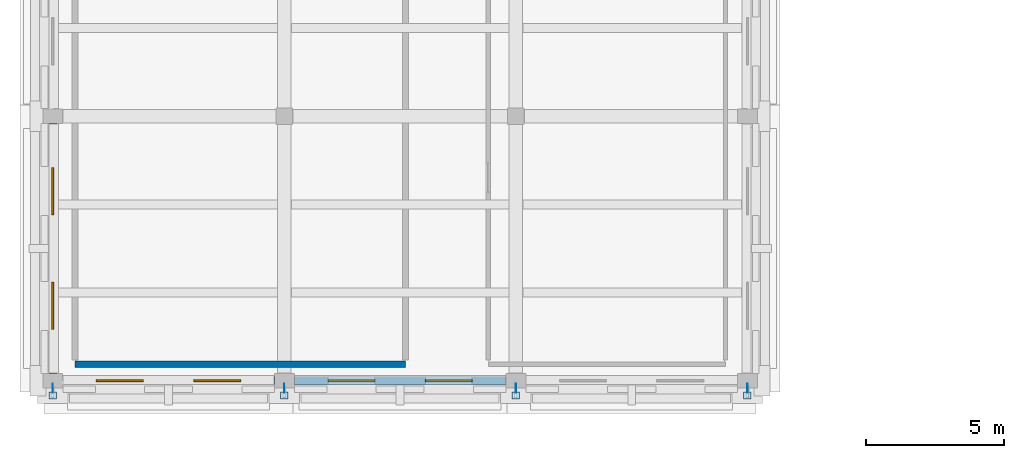
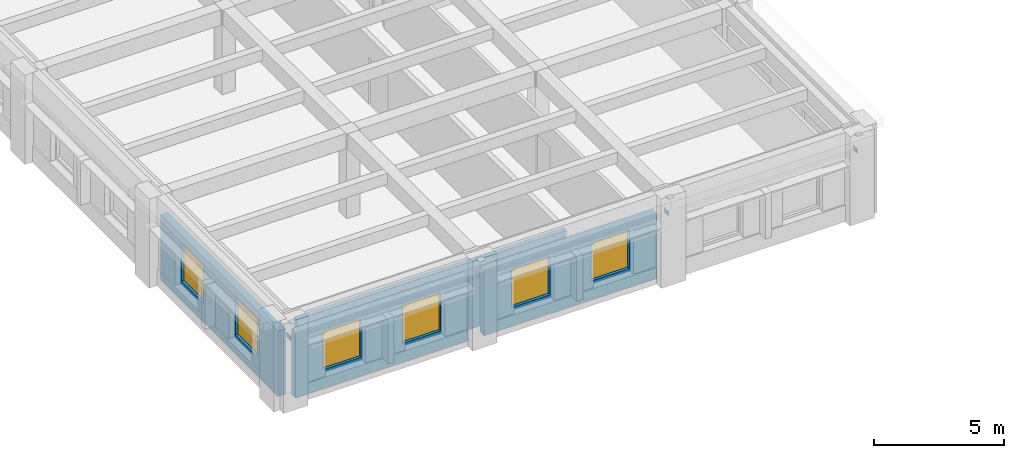
# One storey, part 6 of 17: 8 plates, 6 windows, 4 walls, 6 openings.
"""IFC4 building model written with IfcOpenShell, lengths in metres."""

from ifc_helpers import new_model, si_unit, direction, frame, frame_2d, origin, origin_2d, place, context, subcontext, project, spatial, rectangle, extrude, material, layer, layer_set, type_object, element, fill, save


model = new_model("IFC4")

# Units and contexts
model_context = context("Model", 3, precision=1e-05, world=origin(), true_north=direction((0.0, 1.0)))
body_context = subcontext(model_context, "Body", "Model", "MODEL_VIEW")
ifc_project = project(units=[si_unit("LENGTHUNIT", "METRE"), si_unit("AREAUNIT", "SQUARE_METRE"), si_unit("VOLUMEUNIT", "CUBIC_METRE"), si_unit("PLANEANGLEUNIT", "RADIAN"), si_unit("MASSUNIT", "GRAM", prefix="KILO")], contexts=[model_context])

# Site, building, storey
site_placement = place(None, origin())
site = spatial("IfcSite", under=ifc_project, at=site_placement, CompositionType="ELEMENT")
building_placement = place(site_placement, origin())
building = spatial("IfcBuilding", under=site, at=building_placement, Name="Bempovik Park Faculty of Sciences", CompositionType="ELEMENT")
storey_placement = place(building_placement, frame((0.0, 0.0, 22.5)))
storey = spatial("IfcBuildingStorey", under=building, at=storey_placement, Name="L05", CompositionType="ELEMENT", Elevation=22.5)

# Plates
ifc_material_1 = material(Name="Steel S355", Category="steel")
ifc_layer_1 = layer(ifc_material_1, 0.02001953125)
ifc_layer_set_1 = layer_set([ifc_layer_1], Name="Steel S355")
plate_type_1 = type_object("IfcPlateType", Name="PL-15 Steel Plate 280x260x20", PredefinedType="USERDEFINED", material=ifc_layer_set_1)
for number, where, z_axis, x_axis, name in (
    (1, (15.60009765625, 48.06494140625, 3.947998046875), (0.0, 0.0, 1.0), (1.0, 0.0, 0.0), "West Wing Eave Strut End Cap 1"),
    (2, (24.0, 48.06494140625, 3.947998046875), (0.0, 0.0, 1.0), (1.0, 0.0, 0.0), "West Wing Eave Strut End Cap 2"),
    (3, (32.39990234375, 48.06494140625, 3.947998046875), (0.0, 0.0, 1.0), (1.0, 0.0, 0.0), "West Wing Eave Strut End Cap 3"),
    (4, (40.800048828125, 48.06494140625, 3.947998046875), (0.0, 0.0, 1.0), (1.0, 0.0, 0.0), "West Wing Eave Strut End Cap 4"),
):
    element("IfcPlate", number, at=place(storey_placement, frame(where, z_axis=z_axis, x_axis=x_axis)), inside=storey, type_object=plate_type_1, Name=name, ObjectType="STIFFENER PLATE", PredefinedType="USERDEFINED", context=body_context, shape_type="SweptSolid", body=[
        extrude(rectangle(XDim=0.280029296875, YDim=0.260009765625, at=origin_2d()), origin(), (0.0, 0.0, 1.0), 0.02001953125),
    ])
ifc_layer_2 = layer(ifc_material_1, 0.011962890625)
ifc_layer_set_2 = layer_set([ifc_layer_2], Name="Steel S355")
plate_type_2 = type_object("IfcPlateType", Name="PL-26 Steel Plate 320x220x12", PredefinedType="SHEET", material=ifc_layer_set_2)
for number, where, z_axis, x_axis, name in (
    (5, (15.60009765625, 48.323974609375, 2.990234375), (0.0, 0.0, 1.0), (1.0, 0.0, 0.0), "Brace/Strut End Gusset Plate STR-EAVE-V4-1-E1"),
    (6, (24.0, 48.323974609375, 2.990234375), (0.0, 0.0, 1.0), (1.0, 0.0, 0.0), "Brace/Strut End Gusset Plate STR-EAVE-V4-2-E1"),
    (7, (32.39990234375, 48.323974609375, 2.990234375), (0.0, 0.0, 1.0), (1.0, 0.0, 0.0), "Brace/Strut End Gusset Plate STR-EAVE-V4-3-E1"),
    (8, (40.800048828125, 48.323974609375, 2.990234375), (0.0, 0.0, 1.0), (1.0, 0.0, 0.0), "Brace/Strut End Gusset Plate STR-EAVE-V4-4-E1"),
):
    element("IfcPlate", number, at=place(storey_placement, frame(where, z_axis=z_axis, x_axis=x_axis)), inside=storey, type_object=plate_type_2, Name=name, PredefinedType="SHEET", context=body_context, shape_type="SweptSolid", body=[
        extrude(rectangle(XDim=0.011962890625, YDim=0.320068359375, at=origin_2d()), origin(), (0.0, 0.0, 1.0), 0.219970703125),
    ])

# Wall
ifc_material_2 = material(Name="Concrete C35/45", Category="concrete")
ifc_layer_3 = layer(ifc_material_2, 0.219970703125)
ifc_layer_set_3 = layer_set([ifc_layer_3], Name="Concrete C35/45")
wall_type_1 = type_object("IfcWallType", Name="W-38 Wall 220mm", PredefinedType="PARTITIONING", material=ifc_layer_set_3)
wall_1_placement = place(storey_placement, frame((16.39990234375, 49.199951171875, 0.0), z_axis=(0.0, 0.0, 1.0), x_axis=(1.0, 0.0, 0.0)))
element("IfcWall", 9, at=wall_1_placement, inside=storey, type_object=wall_type_1, Name="L05 Tropical Plant Physiology Laboratory Partition South", PredefinedType="PARTITIONING", context=body_context, shape_type="SweptSolid", body=[
    extrude(rectangle(XDim=12.0, YDim=0.219970703125, at=frame_2d((6.0, 0.0))), origin(), (0.0, 0.0, 1.0), 3.14990234375),
])

# Wall, openings, windows
ifc_material_3 = material(Name="Precast concrete C40/50", Category="concrete")
ifc_layer_4 = layer(ifc_material_3, 0.320068359375)
ifc_layer_set_4 = layer_set([ifc_layer_4], Name="Precast concrete C40/50")
wall_type_2 = type_object("IfcWallType", Name="W-56 Wall 320mm", PredefinedType="SOLIDWALL", material=ifc_layer_set_4)
wall_2_placement = place(storey_placement, frame((15.60009765625, 48.8720703125, 0.0), z_axis=(0.0, 0.0, 1.0), x_axis=(0.0, 1.0, 0.0)))
wall_2 = element("IfcWall", 10, at=wall_2_placement, inside=storey, type_object=wall_type_2, Name="L05 Classical Precast Facade Wall EW-L05-9912", PredefinedType="SOLIDWALL", context=body_context, shape_type="SweptSolid", body=[
    extrude(rectangle(XDim=9.055908203125, YDim=0.320068359375, at=frame_2d((4.52783203125, 0.0))), origin(), (0.0, 0.0, 1.0), 3.080078125),
])
opening_1_placement = place(wall_2_placement, frame((1.59521484375, 0.0, 0.89990234375)))
opening_1 = element("IfcOpeningElement", 11, at=opening_1_placement, cuts=wall_2, Name="Opening WN-33", PredefinedType="OPENING", context=body_context, shape_type="SweptSolid", body=[
    extrude(rectangle(XDim=1.699951171875, YDim=1.800048828125, at=frame_2d((0.85009765625, 0.89990234375))), frame((0.0, 0.169921875, 0.0), z_axis=(0.0, -1.0, 0.0), x_axis=(1.0, 0.0, 0.0)), (0.0, 0.0, 1.0), 0.340087890625),
])
opening_2_placement = place(wall_2_placement, frame((5.760986328125, 0.0, 0.89990234375)))
opening_2 = element("IfcOpeningElement", 12, at=opening_2_placement, cuts=wall_2, Name="Opening WN-33", PredefinedType="OPENING", context=body_context, shape_type="SweptSolid", body=[
    extrude(rectangle(XDim=1.699951171875, YDim=1.800048828125, at=frame_2d((0.85009765625, 0.89990234375))), frame((0.0, 0.169921875, 0.0), z_axis=(0.0, -1.0, 0.0), x_axis=(1.0, 0.0, 0.0)), (0.0, 0.0, 1.0), 0.340087890625),
])
ifc_material_4 = material(Name="Tempered laminated low-E glass", Category="glass")
window_type = type_object("IfcWindowType", Name="WN-33 Window 1700x1800", PartitioningType="SINGLE_PANEL", PredefinedType="WINDOW", material=ifc_material_4)
window_1_placement = place(opening_1_placement, origin())
window_1 = element("IfcWindow", 13, at=window_1_placement, inside=storey, type_object=window_type, Name="L05 Window EW-L05-9912-1", OverallHeight=1.800048828125, OverallWidth=1.699951171875, PartitioningType="SINGLE_PANEL", PredefinedType="WINDOW", context=body_context, shape_type="SweptSolid", body=[
    extrude(rectangle(XDim=1.699951171875, YDim=1.800048828125, at=frame_2d((0.85009765625, 0.89990234375))), frame((0.0, 0.030029296875, 0.0), z_axis=(0.0, -1.0, 0.0), x_axis=(1.0, 0.0, 0.0)), (0.0, 0.0, 1.0), 0.06005859375),
])
fill(opening_1, window_1)
window_2_placement = place(opening_2_placement, origin())
window_2 = element("IfcWindow", 14, at=window_2_placement, inside=storey, type_object=window_type, Name="L05 Window EW-L05-9912-2", OverallHeight=1.800048828125, OverallWidth=1.699951171875, PartitioningType="SINGLE_PANEL", PredefinedType="WINDOW", context=body_context, shape_type="SweptSolid", body=[
    extrude(rectangle(XDim=1.699951171875, YDim=1.800048828125, at=frame_2d((0.85009765625, 0.89990234375))), frame((0.0, 0.030029296875, 0.0), z_axis=(0.0, -1.0, 0.0), x_axis=(1.0, 0.0, 0.0)), (0.0, 0.0, 1.0), 0.06005859375),
])
fill(opening_2, window_2)

wall_3_placement = place(storey_placement, frame((15.9619140625, 48.60009765625, 0.0), z_axis=(0.0, 0.0, 1.0), x_axis=(1.0, 0.0, 0.0)))
wall_3 = element("IfcWall", 15, at=wall_3_placement, inside=storey, type_object=wall_type_2, Name="L05 Classical Precast Facade Wall EW-L05-10052", PredefinedType="SOLIDWALL", context=body_context, shape_type="SweptSolid", body=[
    extrude(rectangle(XDim=7.676025390625, YDim=0.320068359375, at=frame_2d((3.837890625, 0.0))), origin(), (0.0, 0.0, 1.0), 3.080078125),
])
opening_3_placement = place(wall_3_placement, frame((1.222412109375, 0.0, 0.89990234375)))
opening_3 = element("IfcOpeningElement", 16, at=opening_3_placement, cuts=wall_3, Name="Opening WN-33", PredefinedType="OPENING", context=body_context, shape_type="SweptSolid", body=[
    extrude(rectangle(XDim=1.699951171875, YDim=1.800048828125, at=frame_2d((0.85009765625, 0.89990234375))), frame((0.0, 0.169921875, 0.0), z_axis=(0.0, -1.0, 0.0), x_axis=(1.0, 0.0, 0.0)), (0.0, 0.0, 1.0), 0.340087890625),
])
opening_4_placement = place(wall_3_placement, frame((4.75341796875, 0.0, 0.89990234375)))
opening_4 = element("IfcOpeningElement", 17, at=opening_4_placement, cuts=wall_3, Name="Opening WN-33", PredefinedType="OPENING", context=body_context, shape_type="SweptSolid", body=[
    extrude(rectangle(XDim=1.699951171875, YDim=1.800048828125, at=frame_2d((0.85009765625, 0.89990234375))), frame((0.0, 0.169921875, 0.0), z_axis=(0.0, -1.0, 0.0), x_axis=(1.0, 0.0, 0.0)), (0.0, 0.0, 1.0), 0.340087890625),
])
window_3_placement = place(opening_3_placement, origin())
window_3 = element("IfcWindow", 18, at=window_3_placement, inside=storey, type_object=window_type, Name="L05 Window EW-L05-10052-1", OverallHeight=1.800048828125, OverallWidth=1.699951171875, PartitioningType="SINGLE_PANEL", PredefinedType="WINDOW", context=body_context, shape_type="SweptSolid", body=[
    extrude(rectangle(XDim=1.699951171875, YDim=1.800048828125, at=frame_2d((0.85009765625, 0.89990234375))), frame((0.0, 0.030029296875, 0.0), z_axis=(0.0, -1.0, 0.0), x_axis=(1.0, 0.0, 0.0)), (0.0, 0.0, 1.0), 0.06005859375),
])
fill(opening_3, window_3)
window_4_placement = place(opening_4_placement, origin())
window_4 = element("IfcWindow", 19, at=window_4_placement, inside=storey, type_object=window_type, Name="L05 Window EW-L05-10052-2", OverallHeight=1.800048828125, OverallWidth=1.699951171875, PartitioningType="SINGLE_PANEL", PredefinedType="WINDOW", context=body_context, shape_type="SweptSolid", body=[
    extrude(rectangle(XDim=1.699951171875, YDim=1.800048828125, at=frame_2d((0.85009765625, 0.89990234375))), frame((0.0, 0.030029296875, 0.0), z_axis=(0.0, -1.0, 0.0), x_axis=(1.0, 0.0, 0.0)), (0.0, 0.0, 1.0), 0.06005859375),
])
fill(opening_4, window_4)

wall_4_placement = place(storey_placement, frame((24.362060546875, 48.60009765625, 0.0), z_axis=(0.0, 0.0, 1.0), x_axis=(1.0, 0.0, 0.0)))
wall_4 = element("IfcWall", 20, at=wall_4_placement, inside=storey, type_object=wall_type_2, Name="L05 Classical Precast Facade Wall EW-L05-10066", PredefinedType="SOLIDWALL", context=body_context, shape_type="SweptSolid", body=[
    extrude(rectangle(XDim=7.676025390625, YDim=0.320068359375, at=frame_2d((3.837890625, 0.0))), origin(), (0.0, 0.0, 1.0), 3.080078125),
])
opening_5_placement = place(wall_4_placement, frame((1.222412109375, 0.0, 0.89990234375)))
opening_5 = element("IfcOpeningElement", 21, at=opening_5_placement, cuts=wall_4, Name="Opening WN-33", PredefinedType="OPENING", context=body_context, shape_type="SweptSolid", body=[
    extrude(rectangle(XDim=1.699951171875, YDim=1.800048828125, at=frame_2d((0.85009765625, 0.89990234375))), frame((0.0, 0.169921875, 0.0), z_axis=(0.0, -1.0, 0.0), x_axis=(1.0, 0.0, 0.0)), (0.0, 0.0, 1.0), 0.340087890625),
])
opening_6_placement = place(wall_4_placement, frame((4.75341796875, 0.0, 0.89990234375)))
opening_6 = element("IfcOpeningElement", 22, at=opening_6_placement, cuts=wall_4, Name="Opening WN-33", PredefinedType="OPENING", context=body_context, shape_type="SweptSolid", body=[
    extrude(rectangle(XDim=1.699951171875, YDim=1.800048828125, at=frame_2d((0.85009765625, 0.89990234375))), frame((0.0, 0.169921875, 0.0), z_axis=(0.0, -1.0, 0.0), x_axis=(1.0, 0.0, 0.0)), (0.0, 0.0, 1.0), 0.340087890625),
])
window_5_placement = place(opening_5_placement, origin())
window_5 = element("IfcWindow", 23, at=window_5_placement, inside=storey, type_object=window_type, Name="L05 Window EW-L05-10066-1", OverallHeight=1.800048828125, OverallWidth=1.699951171875, PartitioningType="SINGLE_PANEL", PredefinedType="WINDOW", context=body_context, shape_type="SweptSolid", body=[
    extrude(rectangle(XDim=1.699951171875, YDim=1.800048828125, at=frame_2d((0.85009765625, 0.89990234375))), frame((0.0, 0.030029296875, 0.0), z_axis=(0.0, -1.0, 0.0), x_axis=(1.0, 0.0, 0.0)), (0.0, 0.0, 1.0), 0.06005859375),
])
fill(opening_5, window_5)
window_6_placement = place(opening_6_placement, origin())
window_6 = element("IfcWindow", 24, at=window_6_placement, inside=storey, type_object=window_type, Name="L05 Window EW-L05-10066-2", OverallHeight=1.800048828125, OverallWidth=1.699951171875, PartitioningType="SINGLE_PANEL", PredefinedType="WINDOW", context=body_context, shape_type="SweptSolid", body=[
    extrude(rectangle(XDim=1.699951171875, YDim=1.800048828125, at=frame_2d((0.85009765625, 0.89990234375))), frame((0.0, 0.030029296875, 0.0), z_axis=(0.0, -1.0, 0.0), x_axis=(1.0, 0.0, 0.0)), (0.0, 0.0, 1.0), 0.06005859375),
])
fill(opening_6, window_6)

save(model, "model.ifc")
